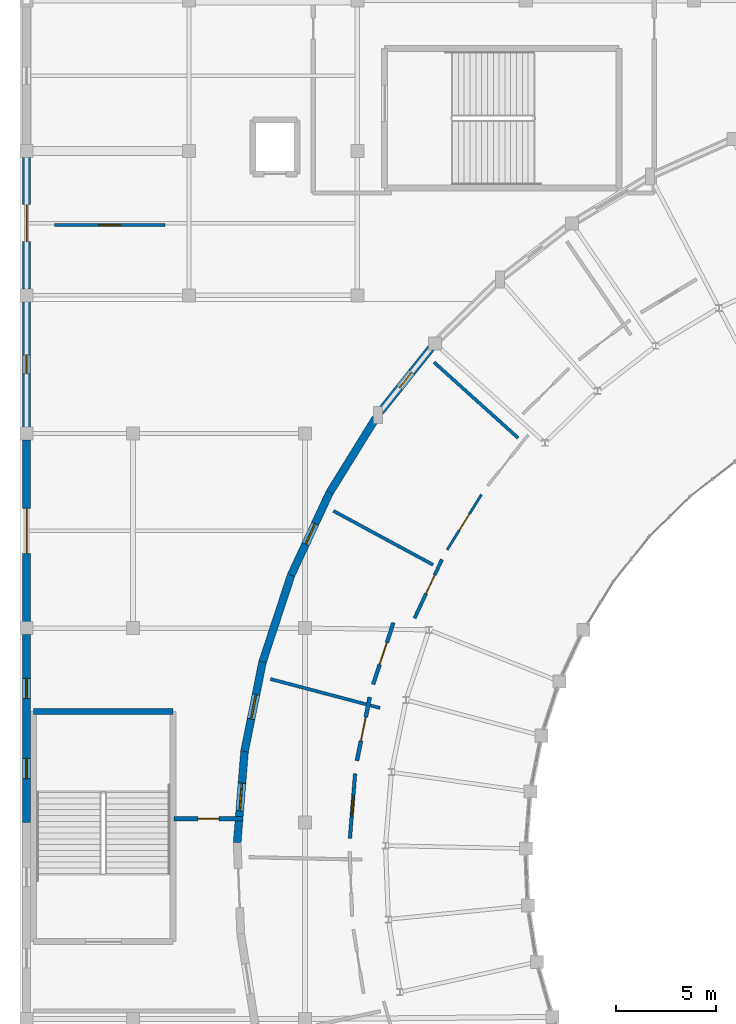
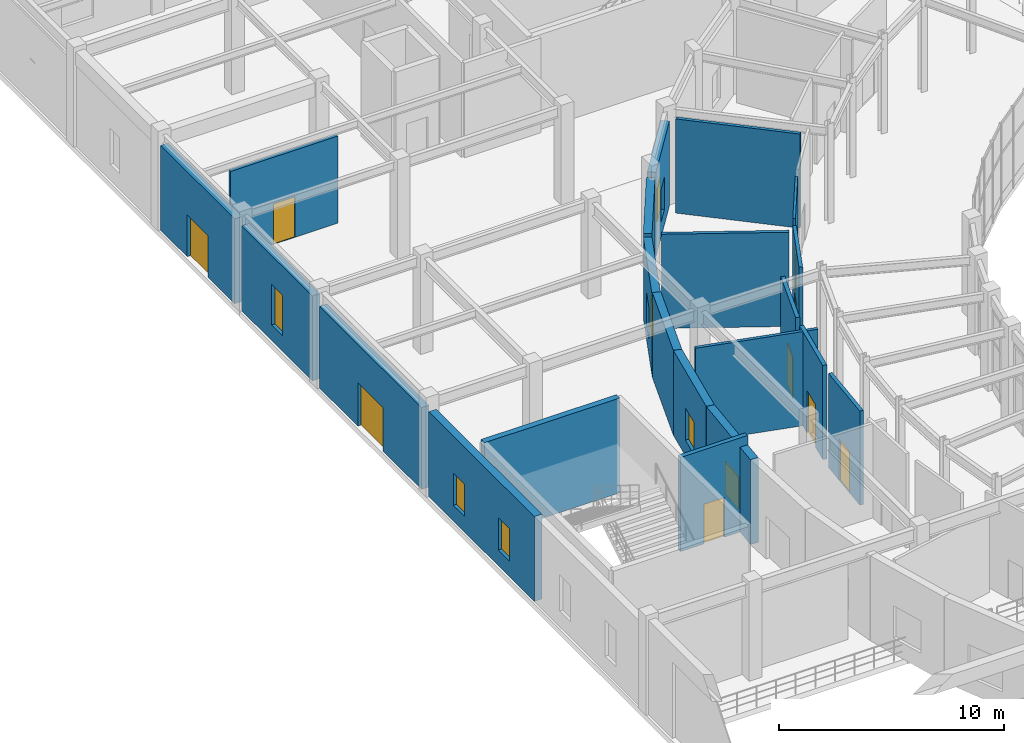
# One storey, part 56 of 93: 21 walls, 9 doors, 7 windows, 16 openings.
"""IFC4 building model written with IfcOpenShell, lengths in metres."""

from ifc_helpers import new_model, si_unit, direction, frame, frame_2d, origin, place, context, subcontext, project, spatial, rectangle, extrude, material, layer, layer_set, type_object, element, fill, save


model = new_model("IFC4")

# Units and contexts
model_context = context("Model", 3, precision=1e-05, world=origin(), true_north=direction((0.0, 1.0)))
body_context = subcontext(model_context, "Body", "Model", "MODEL_VIEW")
ifc_project = project(units=[si_unit("LENGTHUNIT", "METRE"), si_unit("AREAUNIT", "SQUARE_METRE"), si_unit("VOLUMEUNIT", "CUBIC_METRE"), si_unit("PLANEANGLEUNIT", "RADIAN"), si_unit("MASSUNIT", "GRAM", prefix="KILO")], contexts=[model_context])

# Site, building, storey
site_placement = place(None, origin())
site = spatial("IfcSite", under=ifc_project, at=site_placement, CompositionType="ELEMENT")
building_placement = place(site_placement, origin())
building = spatial("IfcBuilding", under=site, at=building_placement, Name="Cinderbank Siding Concert Hall", CompositionType="ELEMENT")
storey_placement = place(building_placement, origin())
storey = spatial("IfcBuildingStorey", under=building, at=storey_placement, Name="L01", CompositionType="ELEMENT", Elevation=0.0)

# Wall
ifc_material_1 = material(Name="Reinforced concrete AS 3600 N50 (50 MPa)", Category="concrete")
ifc_layer_1 = layer(ifc_material_1, 0.300048828125)
ifc_layer_set_1 = layer_set([ifc_layer_1], Name="Reinforced concrete AS 3600 N50 (50 MPa)")
wall_type_1 = type_object("IfcWallType", Name="WL-03 Structural Wall 300mm", PredefinedType="SHEAR", material=ifc_layer_set_1)
wall_1_placement = place(storey_placement, frame((7.4599609375, 75.340087890625, 0.0), z_axis=(0.0, 0.0, 1.0), x_axis=(1.0, 0.0, 0.0)))
element("IfcWall", 1, at=wall_1_placement, inside=storey, type_object=wall_type_1, Name="L01 ST-09 Core Wall FAR", PredefinedType="SHEAR", context=body_context, shape_type="SweptSolid", body=[
    extrude(rectangle(XDim=6.93994140625, YDim=0.300048828125, at=frame_2d((3.469970703125, 0.0))), origin(), (0.0, 0.0, 1.0), 5.139892578125),
])

# Wall, opening, door
ifc_layer_2 = layer(ifc_material_1, 0.219970703125)
ifc_layer_set_2 = layer_set([ifc_layer_2], Name="Reinforced concrete AS 3600 N50 (50 MPa)")
wall_type_2 = type_object("IfcWallType", Name="WL-06 Interior Wall 220mm", PredefinedType="SOLIDWALL", material=ifc_layer_set_2)
wall_2_placement = place(storey_placement, frame((17.89990234375, 70.0, 0.0), z_axis=(0.0, 0.0, 1.0), x_axis=(-1.0, 0.0, 0.0)))
wall_2 = element("IfcWall", 2, at=wall_2_placement, inside=storey, type_object=wall_type_2, Name="L01 Fire-Isolated Exit Passage Wall EPW-09-N", PredefinedType="SOLIDWALL", context=body_context, shape_type="SweptSolid", body=[
    extrude(rectangle(XDim=3.43994140625, YDim=0.219970703125, at=frame_2d((1.719970703125, 0.0))), origin(), (0.0, 0.0, 1.0), 5.10498046875),
])
opening_1_placement = place(wall_2_placement, frame((1.195068359375, 0.0, 0.0)))
opening_1 = element("IfcOpeningElement", 3, at=opening_1_placement, cuts=wall_2, Name="Opening D-02", PredefinedType="OPENING", context=body_context, shape_type="SweptSolid", body=[
    extrude(rectangle(XDim=1.050048828125, YDim=2.14990234375, at=frame_2d((0.52490234375, 1.074951171875))), frame((0.0, 0.1220703125, 0.0), z_axis=(0.0, -1.0, 0.0), x_axis=(1.0, 0.0, 0.0)), (0.0, 0.0, 1.0), 0.243896484375),
])
ifc_material_2 = material(Name="Galvanised sheet steel acoustic fire door assembly", Category="steel")
door_type_1 = type_object("IfcDoorType", Name="D-02 Interior Door 1050x2150", OperationType="NOTDEFINED", PredefinedType="DOOR", material=ifc_material_2)
door_1_placement = place(opening_1_placement, origin())
door_1 = element("IfcDoor", 4, at=door_1_placement, inside=storey, type_object=door_type_1, Name="L01 Exit Passage Fire Door L01-D097", OperationType="SINGLE_SWING_RIGHT", OverallHeight=2.14990234375, OverallWidth=1.050048828125, PredefinedType="DOOR", context=body_context, shape_type="SweptSolid", body=[
    extrude(rectangle(XDim=1.050048828125, YDim=2.14990234375, at=frame_2d((0.52490234375, 1.074951171875))), frame((0.0, 0.02490234375, 0.0), z_axis=(0.0, -1.0, 0.0), x_axis=(1.0, 0.0, 0.0)), (0.0, 0.0, 1.0), 0.050048828125),
])
fill(opening_1, door_1)

# Wall, opening, window
ifc_material_3 = material(Name="Sydney Hawkesbury sandstone ashlar masonry", Category="masonry")
ifc_layer_3 = layer(ifc_material_3, 0.389892578125)
ifc_layer_set_3 = layer_set([ifc_layer_3], Name="Sydney Hawkesbury sandstone ashlar masonry")
wall_type_3 = type_object("IfcWallType", Name="WL-09 Exterior Wall 390mm", PredefinedType="STANDARD", material=ifc_layer_set_3)
wall_3_placement = place(storey_placement, frame((27.269775390625, 93.452392578125, 0.0), z_axis=(0.0, 0.0, 1.0), x_axis=(-0.62385345473, -0.781541340571, 0.0)))
wall_3 = element("IfcWall", 5, at=wall_3_placement, inside=storey, type_object=wall_type_3, Name="L01 Facade Wall EW-WOUT-L01-06", PredefinedType="STANDARD", context=body_context, shape_type="SweptSolid", body=[
    extrude(rectangle(XDim=4.03466796875, YDim=0.389892578125, at=frame_2d((2.017333984375, 0.0))), origin(), (0.0, 0.0, 1.0), 4.60009765625),
])
opening_2_placement = place(wall_3_placement, frame((1.517333984375, 0.0, 0.85009765625)))
opening_2 = element("IfcOpeningElement", 6, at=opening_2_placement, cuts=wall_3, Name="Opening WN-18", PredefinedType="OPENING", context=body_context, shape_type="SweptSolid", body=[
    extrude(rectangle(XDim=1.0, YDim=1.75, at=frame_2d((0.5, 0.875))), frame((0.0, 0.20703125, 0.0), z_axis=(0.0, -1.0, 0.0), x_axis=(1.0, 0.0, 0.0)), (0.0, 0.0, 1.0), 0.413818359375),
])
ifc_material_4 = material(Name="Double-glazed laminated acoustic glass", Category="glass")
window_type_1 = type_object("IfcWindowType", Name="WN-18 Acoustic Casement Window 1000x1750", PartitioningType="DOUBLE_PANEL_VERTICAL", PredefinedType="WINDOW", material=ifc_material_4)
window_1_placement = place(opening_2_placement, origin())
window_1 = element("IfcWindow", 7, at=window_1_placement, inside=storey, type_object=window_type_1, Name="L01 Facade Window #4", OverallHeight=1.75, OverallWidth=1.0, PartitioningType="DOUBLE_PANEL_VERTICAL", PredefinedType="WINDOW", context=body_context, shape_type="SweptSolid", body=[
    extrude(rectangle(XDim=1.0, YDim=1.75, at=frame_2d((0.5, 0.875))), frame((0.0, 0.030029296875, 0.0), z_axis=(0.0, -1.0, 0.0), x_axis=(1.0, 0.0, 0.0)), (0.0, 0.0, 1.0), 0.06005859375),
])
fill(opening_2, window_1)

# Wall
wall_4_placement = place(storey_placement, frame((24.510986328125, 89.95654296875, 0.0), z_axis=(0.0, 0.0, 1.0), x_axis=(-0.526959963092, -0.849890108954, 0.0)))
element("IfcWall", 8, at=wall_4_placement, inside=storey, type_object=wall_type_3, Name="L01 Facade Wall EW-WOUT-L01-07", PredefinedType="STANDARD", context=body_context, shape_type="SweptSolid", body=[
    extrude(rectangle(XDim=4.3447265625, YDim=0.389892578125, at=frame_2d((2.17236328125, 0.0))), origin(), (0.0, 0.0, 1.0), 4.60009765625),
])

# Wall, opening, window
wall_5_placement = place(storey_placement, frame((22.221435546875, 86.263916015625, 0.0), z_axis=(0.0, 0.0, 1.0), x_axis=(-0.422603737243, -0.90631455978, 0.0)))
wall_5 = element("IfcWall", 9, at=wall_5_placement, inside=storey, type_object=wall_type_3, Name="L01 Facade Wall EW-WOUT-L01-08", PredefinedType="STANDARD", context=body_context, shape_type="SweptSolid", body=[
    extrude(rectangle(XDim=4.5546875, YDim=0.389892578125, at=frame_2d((2.27734375, 0.0))), origin(), (0.0, 0.0, 1.0), 4.406982421875),
])
opening_3_placement = place(wall_5_placement, frame((1.71728515625, 0.0, 0.85009765625)))
opening_3 = element("IfcOpeningElement", 10, at=opening_3_placement, cuts=wall_5, Name="Opening WN-19", PredefinedType="OPENING", context=body_context, shape_type="SweptSolid", body=[
    extrude(rectangle(XDim=1.1201171875, YDim=1.75, at=frame_2d((0.56005859375, 0.875))), frame((0.0, 0.20703125, 0.0), z_axis=(0.0, -1.0, 0.0), x_axis=(1.0, 0.0, 0.0)), (0.0, 0.0, 1.0), 0.413818359375),
])
window_type_2 = type_object("IfcWindowType", Name="WN-19 Acoustic Casement Window 1120x1750", PartitioningType="DOUBLE_PANEL_VERTICAL", PredefinedType="WINDOW", material=ifc_material_4)
window_2_placement = place(opening_3_placement, origin())
window_2 = element("IfcWindow", 11, at=window_2_placement, inside=storey, type_object=window_type_2, Name="L01 Facade Window #5", OverallHeight=1.75, OverallWidth=1.1201171875, PartitioningType="DOUBLE_PANEL_VERTICAL", PredefinedType="WINDOW", context=body_context, shape_type="SweptSolid", body=[
    extrude(rectangle(XDim=1.1201171875, YDim=1.75, at=frame_2d((0.56005859375, 0.875))), frame((0.0, 0.030029296875, 0.0), z_axis=(0.0, -1.0, 0.0), x_axis=(1.0, 0.0, 0.0)), (0.0, 0.0, 1.0), 0.06005859375),
])
fill(opening_3, window_2)

# Wall
wall_6_placement = place(storey_placement, frame((20.296630859375, 82.135986328125, 0.0), z_axis=(0.0, 0.0, 1.0), x_axis=(-0.312333665048, -0.949972463642, 0.0)))
element("IfcWall", 12, at=wall_6_placement, inside=storey, type_object=wall_type_3, Name="L01 Facade Wall EW-WOUT-L01-09", PredefinedType="STANDARD", context=body_context, shape_type="SweptSolid", body=[
    extrude(rectangle(XDim=4.5546875, YDim=0.389892578125, at=frame_2d((2.27734375, 0.0))), origin(), (0.0, 0.0, 1.0), 4.60009765625),
])

# Wall, opening, window
wall_7_placement = place(storey_placement, frame((18.8740234375, 77.80908203125, 0.0), z_axis=(0.0, 0.0, 1.0), x_axis=(-0.197682700785, -0.980266060726, 0.0)))
wall_7 = element("IfcWall", 13, at=wall_7_placement, inside=storey, type_object=wall_type_3, Name="L01 Facade Wall EW-WOUT-L01-10", PredefinedType="STANDARD", context=body_context, shape_type="SweptSolid", body=[
    extrude(rectangle(XDim=4.5546875, YDim=0.389892578125, at=frame_2d((2.27734375, 0.0))), origin(), (0.0, 0.0, 1.0), 4.60009765625),
])
opening_4_placement = place(wall_7_placement, frame((1.657470703125, 0.0, 0.85009765625)))
opening_4 = element("IfcOpeningElement", 14, at=opening_4_placement, cuts=wall_7, Name="Opening WN-20", PredefinedType="OPENING", context=body_context, shape_type="SweptSolid", body=[
    extrude(rectangle(XDim=1.239990234375, YDim=1.75, at=frame_2d((0.6201171875, 0.875))), frame((0.0, 0.20703125, 0.0), z_axis=(0.0, -1.0, 0.0), x_axis=(1.0, 0.0, 0.0)), (0.0, 0.0, 1.0), 0.413818359375),
])
window_type_3 = type_object("IfcWindowType", Name="WN-20 Acoustic Casement Window 1240x1750", PartitioningType="DOUBLE_PANEL_VERTICAL", PredefinedType="WINDOW", material=ifc_material_4)
window_3_placement = place(opening_4_placement, origin())
window_3 = element("IfcWindow", 15, at=window_3_placement, inside=storey, type_object=window_type_3, Name="L01 Facade Window #6", OverallHeight=1.75, OverallWidth=1.239990234375, PartitioningType="DOUBLE_PANEL_VERTICAL", PredefinedType="WINDOW", context=body_context, shape_type="SweptSolid", body=[
    extrude(rectangle(XDim=1.239990234375, YDim=1.75, at=frame_2d((0.6201171875, 0.875))), frame((0.0, 0.030029296875, 0.0), z_axis=(0.0, -1.0, 0.0), x_axis=(1.0, 0.0, 0.0)), (0.0, 0.0, 1.0), 0.06005859375),
])
fill(opening_4, window_3)

wall_8_placement = place(storey_placement, frame((17.9736328125, 73.34423828125, 0.0), z_axis=(0.0, 0.0, 1.0), x_axis=(-0.080188345633, -0.996779729541, 0.0)))
wall_8 = element("IfcWall", 16, at=wall_8_placement, inside=storey, type_object=wall_type_3, Name="L01 Facade Wall EW-WOUT-L01-11", PredefinedType="STANDARD", context=body_context, shape_type="SweptSolid", body=[
    extrude(rectangle(XDim=4.5546875, YDim=0.389892578125, at=frame_2d((2.27734375, 0.0))), origin(), (0.0, 0.0, 1.0), 4.60009765625),
])
opening_5_placement = place(wall_8_placement, frame((1.58740234375, 0.0, 0.85009765625)))
opening_5 = element("IfcOpeningElement", 17, at=opening_5_placement, cuts=wall_8, Name="Opening WN-21", PredefinedType="OPENING", context=body_context, shape_type="SweptSolid", body=[
    extrude(rectangle(XDim=1.3798828125, YDim=1.75, at=frame_2d((0.68994140625, 0.875))), frame((0.0, 0.20703125, 0.0), z_axis=(0.0, -1.0, 0.0), x_axis=(1.0, 0.0, 0.0)), (0.0, 0.0, 1.0), 0.413818359375),
])
window_type_4 = type_object("IfcWindowType", Name="WN-21 Acoustic Casement Window 1380x1750", PartitioningType="DOUBLE_PANEL_VERTICAL", PredefinedType="WINDOW", material=ifc_material_4)
window_4_placement = place(opening_5_placement, origin())
window_4 = element("IfcWindow", 18, at=window_4_placement, inside=storey, type_object=window_type_4, Name="L01 Facade Window #7", OverallHeight=1.75, OverallWidth=1.3798828125, PartitioningType="DOUBLE_PANEL_VERTICAL", PredefinedType="WINDOW", context=body_context, shape_type="SweptSolid", body=[
    extrude(rectangle(XDim=1.3798828125, YDim=1.75, at=frame_2d((0.68994140625, 0.875))), frame((0.0, 0.030029296875, 0.0), z_axis=(0.0, -1.0, 0.0), x_axis=(1.0, 0.0, 0.0)), (0.0, 0.0, 1.0), 0.06005859375),
])
fill(opening_5, window_4)

# Wall, openings, windows
wall_9_placement = place(storey_placement, frame((7.10009765625, 69.800048828125, 0.0), z_axis=(0.0, 0.0, 1.0), x_axis=(0.0, 1.0, 0.0)))
wall_9 = element("IfcWall", 19, at=wall_9_placement, inside=storey, type_object=wall_type_3, Name="L01 Facade Wall EW-WL-W3-L01", PredefinedType="STANDARD", context=body_context, shape_type="SweptSolid", body=[
    extrude(rectangle(XDim=9.389892578125, YDim=0.389892578125, at=frame_2d((4.69482421875, 0.0))), origin(), (0.0, 0.0, 1.0), 4.60009765625),
])
opening_6_placement = place(wall_9_placement, frame((2.197509765625, 0.0, 0.85009765625)))
opening_6 = element("IfcOpeningElement", 20, at=opening_6_placement, cuts=wall_9, Name="Opening WN-18", PredefinedType="OPENING", context=body_context, shape_type="SweptSolid", body=[
    extrude(rectangle(XDim=1.0, YDim=1.75, at=frame_2d((0.5, 0.875))), frame((0.0, 0.20703125, 0.0), z_axis=(0.0, -1.0, 0.0), x_axis=(1.0, 0.0, 0.0)), (0.0, 0.0, 1.0), 0.413818359375),
])
opening_7_placement = place(wall_9_placement, frame((6.1923828125, 0.0, 0.85009765625)))
opening_7 = element("IfcOpeningElement", 21, at=opening_7_placement, cuts=wall_9, Name="Opening WN-18", PredefinedType="OPENING", context=body_context, shape_type="SweptSolid", body=[
    extrude(rectangle(XDim=1.0, YDim=1.75, at=frame_2d((0.5, 0.875))), frame((0.0, 0.20703125, 0.0), z_axis=(0.0, -1.0, 0.0), x_axis=(1.0, 0.0, 0.0)), (0.0, 0.0, 1.0), 0.413818359375),
])
window_5_placement = place(opening_6_placement, origin())
window_5 = element("IfcWindow", 22, at=window_5_placement, inside=storey, type_object=window_type_1, Name="L01 Facade Window #96", OverallHeight=1.75, OverallWidth=1.0, PartitioningType="DOUBLE_PANEL_VERTICAL", PredefinedType="WINDOW", context=body_context, shape_type="SweptSolid", body=[
    extrude(rectangle(XDim=1.0, YDim=1.75, at=frame_2d((0.5, 0.875))), frame((0.0, 0.030029296875, 0.0), z_axis=(0.0, -1.0, 0.0), x_axis=(1.0, 0.0, 0.0)), (0.0, 0.0, 1.0), 0.06005859375),
])
fill(opening_6, window_5)
window_6_placement = place(opening_7_placement, origin())
window_6 = element("IfcWindow", 23, at=window_6_placement, inside=storey, type_object=window_type_1, Name="L01 Facade Window #97", OverallHeight=1.75, OverallWidth=1.0, PartitioningType="DOUBLE_PANEL_VERTICAL", PredefinedType="WINDOW", context=body_context, shape_type="SweptSolid", body=[
    extrude(rectangle(XDim=1.0, YDim=1.75, at=frame_2d((0.5, 0.875))), frame((0.0, 0.030029296875, 0.0), z_axis=(0.0, -1.0, 0.0), x_axis=(1.0, 0.0, 0.0)), (0.0, 0.0, 1.0), 0.06005859375),
])
fill(opening_7, window_6)

# Wall, opening, door
wall_10_placement = place(storey_placement, frame((7.10009765625, 79.81005859375, 0.0), z_axis=(0.0, 0.0, 1.0), x_axis=(0.0, 1.0, 0.0)))
wall_10 = element("IfcWall", 24, at=wall_10_placement, inside=storey, type_object=wall_type_3, Name="L01 Facade Wall EW-WL-W4-L01", PredefinedType="STANDARD", context=body_context, shape_type="SweptSolid", body=[
    extrude(rectangle(XDim=9.079833984375, YDim=0.389892578125, at=frame_2d((4.5400390625, 0.0))), origin(), (0.0, 0.0, 1.0), 4.427001953125),
])
opening_8_placement = place(wall_10_placement, frame((3.419921875, 0.0, 0.0)))
opening_8 = element("IfcOpeningElement", 25, at=opening_8_placement, cuts=wall_10, Name="Opening ED-D1", PredefinedType="OPENING", context=body_context, shape_type="SweptSolid", body=[
    extrude(rectangle(XDim=2.239990234375, YDim=2.35009765625, at=frame_2d((1.1201171875, 1.175048828125))), frame((0.0, 0.20703125, 0.0), z_axis=(0.0, -1.0, 0.0), x_axis=(1.0, 0.0, 0.0)), (0.0, 0.0, 1.0), 0.413818359375),
])
door_type_2 = type_object("IfcDoorType", Name="ED-D1 Exterior Door 2240x2350", OperationType="DOUBLE_DOOR_SINGLE_SWING", PredefinedType="DOOR", material=ifc_material_2)
door_2_placement = place(opening_8_placement, origin())
door_2 = element("IfcDoor", 26, at=door_2_placement, inside=storey, type_object=door_type_2, Name="Perimeter Final Exit WL-W4", OperationType="DOUBLE_DOOR_SINGLE_SWING", OverallHeight=2.35009765625, OverallWidth=2.239990234375, PredefinedType="DOOR", context=body_context, shape_type="SweptSolid", body=[
    extrude(rectangle(XDim=2.239990234375, YDim=2.35009765625, at=frame_2d((1.1201171875, 1.175048828125))), frame((0.0, 0.02490234375, 0.0), z_axis=(0.0, -1.0, 0.0), x_axis=(1.0, 0.0, 0.0)), (0.0, 0.0, 1.0), 0.050048828125),
])
fill(opening_8, door_2)

# Wall, opening, window
wall_11_placement = place(storey_placement, frame((7.10009765625, 89.510009765625, 0.0), z_axis=(0.0, 0.0, 1.0), x_axis=(0.0, 1.0, 0.0)))
wall_11 = element("IfcWall", 27, at=wall_11_placement, inside=storey, type_object=wall_type_3, Name="L01 Facade Wall EW-WL-W5-L01", PredefinedType="STANDARD", context=body_context, shape_type="SweptSolid", body=[
    extrude(rectangle(XDim=6.280029296875, YDim=0.389892578125, at=frame_2d((3.14013671875, 0.0))), origin(), (0.0, 0.0, 1.0), 4.598876953125),
])
opening_9_placement = place(wall_11_placement, frame((2.6650390625, 0.0, 0.85009765625)))
opening_9 = element("IfcOpeningElement", 28, at=opening_9_placement, cuts=wall_11, Name="Opening WN-02", PredefinedType="OPENING", context=body_context, shape_type="SweptSolid", body=[
    extrude(rectangle(XDim=0.949951171875, YDim=2.199951171875, at=frame_2d((0.47509765625, 1.10009765625))), frame((0.0, 0.20703125, 0.0), z_axis=(0.0, -1.0, 0.0), x_axis=(1.0, 0.0, 0.0)), (0.0, 0.0, 1.0), 0.413818359375),
])
window_type_5 = type_object("IfcWindowType", Name="WN-02 Acoustic Casement Window 950x2200", PartitioningType="DOUBLE_PANEL_VERTICAL", PredefinedType="WINDOW", material=ifc_material_4)
window_7_placement = place(opening_9_placement, origin())
window_7 = element("IfcWindow", 29, at=window_7_placement, inside=storey, type_object=window_type_5, Name="L01 Facade Window #110", OverallHeight=2.199951171875, OverallWidth=0.949951171875, PartitioningType="DOUBLE_PANEL_VERTICAL", PredefinedType="WINDOW", context=body_context, shape_type="SweptSolid", body=[
    extrude(rectangle(XDim=0.949951171875, YDim=2.199951171875, at=frame_2d((0.47509765625, 1.10009765625))), frame((0.0, 0.030029296875, 0.0), z_axis=(0.0, -1.0, 0.0), x_axis=(1.0, 0.0, 0.0)), (0.0, 0.0, 1.0), 0.06005859375),
])
fill(opening_9, window_7)

# Wall, opening, door
wall_12_placement = place(storey_placement, frame((7.10009765625, 96.409912109375, 0.0), z_axis=(0.0, 0.0, 1.0), x_axis=(0.0, 1.0, 0.0)))
wall_12 = element("IfcWall", 30, at=wall_12_placement, inside=storey, type_object=wall_type_3, Name="L01 Facade Wall EW-NW-W1-L01", PredefinedType="STANDARD", context=body_context, shape_type="SweptSolid", body=[
    extrude(rectangle(XDim=6.580078125, YDim=0.389892578125, at=frame_2d((3.2900390625, 0.0))), origin(), (0.0, 0.0, 1.0), 4.60009765625),
])
opening_10_placement = place(wall_12_placement, frame((2.364990234375, 0.0, 0.0)))
opening_10 = element("IfcOpeningElement", 31, at=opening_10_placement, cuts=wall_12, Name="Opening ED-D3", PredefinedType="OPENING", context=body_context, shape_type="SweptSolid", body=[
    extrude(rectangle(XDim=1.85009765625, YDim=2.25, at=frame_2d((0.925048828125, 1.125))), frame((0.0, 0.20703125, 0.0), z_axis=(0.0, -1.0, 0.0), x_axis=(1.0, 0.0, 0.0)), (0.0, 0.0, 1.0), 0.413818359375),
])
door_type_3 = type_object("IfcDoorType", Name="ED-D3 Exterior Door 1850x2250", OperationType="DOUBLE_DOOR_SINGLE_SWING", PredefinedType="DOOR", material=ifc_material_2)
door_3_placement = place(opening_10_placement, origin())
door_3 = element("IfcDoor", 32, at=door_3_placement, inside=storey, type_object=door_type_3, Name="Perimeter Final Exit NW-W1", OperationType="DOUBLE_DOOR_SINGLE_SWING", OverallHeight=2.25, OverallWidth=1.85009765625, PredefinedType="DOOR", context=body_context, shape_type="SweptSolid", body=[
    extrude(rectangle(XDim=1.85009765625, YDim=2.25, at=frame_2d((0.925048828125, 1.125))), frame((0.0, 0.02490234375, 0.0), z_axis=(0.0, -1.0, 0.0), x_axis=(1.0, 0.0, 0.0)), (0.0, 0.0, 1.0), 0.050048828125),
])
fill(opening_10, door_3)

ifc_material_5 = material(Name="Acoustic plasterboard on light-gauge steel studs", Category="gypsum")
ifc_layer_4 = layer(ifc_material_5, 0.199951171875)
ifc_layer_set_4 = layer_set([ifc_layer_4], Name="Acoustic plasterboard on light-gauge steel studs")
wall_type_4 = type_object("IfcWallType", Name="WL-12 Interior Wall 200mm", PredefinedType="PARTITIONING", material=ifc_layer_set_4)
wall_13_placement = place(storey_placement, frame((24.220458984375, 76.058837890625, 0.0), z_axis=(0.0, 0.0, 1.0), x_axis=(-0.197609875313, -0.980280744062, 0.0)))
wall_13 = element("IfcWall", 33, at=wall_13_placement, inside=storey, type_object=wall_type_4, Name="L01 Partition Studio Bay W10", PredefinedType="PARTITIONING", context=body_context, shape_type="SweptSolid", body=[
    extrude(rectangle(XDim=3.23681640625, YDim=0.199951171875, at=frame_2d((1.618408203125, 0.0))), origin(), (0.0, 0.0, 1.0), 5.10498046875),
])
opening_11_placement = place(wall_13_placement, frame((1.0185546875, 0.0, 0.0)))
opening_11 = element("IfcOpeningElement", 34, at=opening_11_placement, cuts=wall_13, Name="Opening D-12", PredefinedType="OPENING", context=body_context, shape_type="SweptSolid", body=[
    extrude(rectangle(XDim=1.199951171875, YDim=2.300048828125, at=frame_2d((0.60009765625, 1.14990234375))), frame((0.0, 0.11181640625, 0.0), z_axis=(0.0, -1.0, 0.0), x_axis=(1.0, 0.0, 0.0)), (0.0, 0.0, 1.0), 0.223876953125),
])
ifc_material_6 = material(Name="Solid-core spotted gum acoustic timber", Category="wood")
door_type_4 = type_object("IfcDoorType", Name="D-12 Interior Door 1200x2300", OperationType="NOTDEFINED", PredefinedType="DOOR", material=ifc_material_6)
door_4_placement = place(opening_11_placement, origin())
door_4 = element("IfcDoor", 35, at=door_4_placement, inside=storey, type_object=door_type_4, Name="L01 Studio Bay W10 Door L01-D194", OperationType="SINGLE_SWING_LEFT", OverallHeight=2.300048828125, OverallWidth=1.199951171875, PredefinedType="DOOR", context=body_context, shape_type="SweptSolid", body=[
    extrude(rectangle(XDim=1.199951171875, YDim=2.300048828125, at=frame_2d((0.60009765625, 1.14990234375))), frame((0.0, 0.02490234375, 0.0), z_axis=(0.0, -1.0, 0.0), x_axis=(1.0, 0.0, 0.0)), (0.0, 0.0, 1.0), 0.050048828125),
])
fill(opening_11, door_4)

ifc_layer_5 = layer(ifc_material_5, 0.179931640625)
ifc_layer_set_5 = layer_set([ifc_layer_5], Name="Acoustic plasterboard on light-gauge steel studs")
wall_type_5 = type_object("IfcWallType", Name="WL-13 Interior Wall 180mm", PredefinedType="PARTITIONING", material=ifc_layer_set_5)
wall_14_placement = place(storey_placement, frame((23.489990234375, 72.239501953125, 0.0), z_axis=(0.0, 0.0, 1.0), x_axis=(-0.080248823667, -0.996774862394, 0.0)))
wall_14 = element("IfcWall", 36, at=wall_14_placement, inside=storey, type_object=wall_type_5, Name="L01 Partition Studio Bay W11", PredefinedType="PARTITIONING", context=body_context, shape_type="SweptSolid", body=[
    extrude(rectangle(XDim=3.237060546875, YDim=0.179931640625, at=frame_2d((1.61865234375, 0.0))), origin(), (0.0, 0.0, 1.0), 5.10498046875),
])
opening_12_placement = place(wall_14_placement, frame((1.08837890625, 0.0, 0.0)))
opening_12 = element("IfcOpeningElement", 37, at=opening_12_placement, cuts=wall_14, Name="Opening D-18", PredefinedType="OPENING", context=body_context, shape_type="SweptSolid", body=[
    extrude(rectangle(XDim=1.06005859375, YDim=2.239990234375, at=frame_2d((0.530029296875, 1.1201171875))), frame((0.0, 0.10205078125, 0.0), z_axis=(0.0, -1.0, 0.0), x_axis=(1.0, 0.0, 0.0)), (0.0, 0.0, 1.0), 0.203857421875),
])
door_type_5 = type_object("IfcDoorType", Name="D-18 Interior Door 1060x2240", OperationType="NOTDEFINED", PredefinedType="DOOR", material=ifc_material_6)
door_5_placement = place(opening_12_placement, origin())
door_5 = element("IfcDoor", 38, at=door_5_placement, inside=storey, type_object=door_type_5, Name="L01 Studio Bay W11 Door L01-D195", OperationType="SINGLE_SWING_RIGHT", OverallHeight=2.239990234375, OverallWidth=1.06005859375, PredefinedType="DOOR", context=body_context, shape_type="SweptSolid", body=[
    extrude(rectangle(XDim=1.06005859375, YDim=2.239990234375, at=frame_2d((0.530029296875, 1.1201171875))), frame((0.0, 0.02490234375, 0.0), z_axis=(0.0, -1.0, 0.0), x_axis=(1.0, 0.0, 0.0)), (0.0, 0.0, 1.0), 0.050048828125),
])
fill(opening_12, door_5)

# Walls
ifc_layer_6 = layer(ifc_material_5, 0.159912109375)
ifc_layer_set_6 = layer_set([ifc_layer_6], Name="Acoustic plasterboard on light-gauge steel studs")
wall_type_6 = type_object("IfcWallType", Name="WL-14 Interior Wall 160mm", PredefinedType="PARTITIONING", material=ifc_layer_set_6)
wall_15_placement = place(storey_placement, frame((31.626220703125, 88.977294921875, 0.0), z_axis=(0.0, 0.0, 1.0), x_axis=(-0.743145881682, 0.669129433323, 0.0)))
element("IfcWall", 39, at=wall_15_placement, inside=storey, type_object=wall_type_6, Name="L01 Radial Studio Demising Wall W06", PredefinedType="PARTITIONING", context=body_context, shape_type="SweptSolid", body=[
    extrude(rectangle(XDim=5.650390625, YDim=0.159912109375, at=frame_2d((2.8251953125, 0.0))), origin(), (0.0, 0.0, 1.0), 5.10498046875),
])
wall_16_placement = place(storey_placement, frame((27.376953125, 82.657958984375, 0.0), z_axis=(0.0, 0.0, 1.0), x_axis=(-0.879658145698, 0.475606504062, 0.0)))
element("IfcWall", 40, at=wall_16_placement, inside=storey, type_object=wall_type_6, Name="L01 Radial Studio Demising Wall W08", PredefinedType="PARTITIONING", context=body_context, shape_type="SweptSolid", body=[
    extrude(rectangle(XDim=5.650146484375, YDim=0.159912109375, at=frame_2d((2.8251953125, 0.0))), origin(), (0.0, 0.0, 1.0), 5.10498046875),
])
wall_17_placement = place(storey_placement, frame((24.732666015625, 75.516357421875, 0.0), z_axis=(0.0, 0.0, 1.0), x_axis=(-0.966817687277, 0.255467335621, 0.0)))
element("IfcWall", 41, at=wall_17_placement, inside=storey, type_object=wall_type_6, Name="L01 Radial Studio Demising Wall W10", PredefinedType="PARTITIONING", context=body_context, shape_type="SweptSolid", body=[
    extrude(rectangle(XDim=5.64990234375, YDim=0.159912109375, at=frame_2d((2.824951171875, 0.0))), origin(), (0.0, 0.0, 1.0), 5.10498046875),
])

# Wall, opening, door
ifc_layer_7 = layer(ifc_material_5, 0.14990234375)
ifc_layer_set_7 = layer_set([ifc_layer_7], Name="Acoustic plasterboard on light-gauge steel studs")
wall_type_7 = type_object("IfcWallType", Name="WL-15 Interior Wall 150mm", PredefinedType="PARTITIONING", material=ifc_layer_set_7)
wall_18_placement = place(storey_placement, frame((8.5, 99.60009765625, 0.0), z_axis=(0.0, 0.0, 1.0), x_axis=(1.0, 0.0, 0.0)))
wall_18 = element("IfcWall", 42, at=wall_18_placement, inside=storey, type_object=wall_type_7, Name="L01 Partition Artists Reception", PredefinedType="PARTITIONING", context=body_context, shape_type="SweptSolid", body=[
    extrude(rectangle(XDim=5.5, YDim=0.14990234375, at=frame_2d((2.75, 0.0))), origin(), (0.0, 0.0, 1.0), 4.724365234375),
])
opening_13_placement = place(wall_18_placement, frame((2.199951171875, 0.0, 0.0)))
opening_13 = element("IfcOpeningElement", 43, at=opening_13_placement, cuts=wall_18, Name="Opening D-04", PredefinedType="OPENING", context=body_context, shape_type="SweptSolid", body=[
    extrude(rectangle(XDim=1.10009765625, YDim=2.199951171875, at=frame_2d((0.550048828125, 1.10009765625))), frame((0.0, 0.0869140625, 0.0), z_axis=(0.0, -1.0, 0.0), x_axis=(1.0, 0.0, 0.0)), (0.0, 0.0, 1.0), 0.173828125),
])
door_type_6 = type_object("IfcDoorType", Name="D-04 Interior Door 1100x2200", OperationType="NOTDEFINED", PredefinedType="DOOR", material=ifc_material_6)
door_6_placement = place(opening_13_placement, origin())
door_6 = element("IfcDoor", 44, at=door_6_placement, inside=storey, type_object=door_type_6, Name="L01 Artists Reception Door L01-D255", OperationType="SINGLE_SWING_RIGHT", OverallHeight=2.199951171875, OverallWidth=1.10009765625, PredefinedType="DOOR", context=body_context, shape_type="SweptSolid", body=[
    extrude(rectangle(XDim=1.10009765625, YDim=2.199951171875, at=frame_2d((0.550048828125, 1.10009765625))), frame((0.0, 0.02490234375, 0.0), z_axis=(0.0, -1.0, 0.0), x_axis=(1.0, 0.0, 0.0)), (0.0, 0.0, 1.0), 0.050048828125),
])
fill(opening_13, door_6)

ifc_layer_8 = layer(ifc_material_5, 0.1201171875)
ifc_layer_set_8 = layer_set([ifc_layer_8], Name="Acoustic plasterboard on light-gauge steel studs")
wall_type_8 = type_object("IfcWallType", Name="WL-18 Interior Wall 120mm", PredefinedType="PARTITIONING", material=ifc_layer_set_8)
wall_19_placement = place(storey_placement, frame((29.78759765625, 86.15673828125, 0.0), z_axis=(0.0, 0.0, 1.0), x_axis=(-0.526951653894, -0.849895260875, 0.0)))
wall_19 = element("IfcWall", 45, at=wall_19_placement, inside=storey, type_object=wall_type_8, Name="L01 Partition Studio Bay W07", PredefinedType="PARTITIONING", context=body_context, shape_type="SweptSolid", body=[
    extrude(rectangle(XDim=3.237060546875, YDim=0.1201171875, at=frame_2d((1.61865234375, 0.0))), origin(), (0.0, 0.0, 1.0), 5.10498046875),
])
opening_14_placement = place(wall_19_placement, frame((1.138427734375, 0.0, 0.0)))
opening_14 = element("IfcOpeningElement", 46, at=opening_14_placement, cuts=wall_19, Name="Opening D-16", PredefinedType="OPENING", context=body_context, shape_type="SweptSolid", body=[
    extrude(rectangle(XDim=0.9599609375, YDim=2.179931640625, at=frame_2d((0.47998046875, 1.08984375))), frame((0.0, 0.072021484375, 0.0), z_axis=(0.0, -1.0, 0.0), x_axis=(1.0, 0.0, 0.0)), (0.0, 0.0, 1.0), 0.14404296875),
])
door_type_7 = type_object("IfcDoorType", Name="D-16 Interior Door 960x2180", OperationType="NOTDEFINED", PredefinedType="DOOR", material=ifc_material_6)
door_7_placement = place(opening_14_placement, origin())
door_7 = element("IfcDoor", 47, at=door_7_placement, inside=storey, type_object=door_type_7, Name="L01 Studio Bay W07 Door L01-D191", OperationType="SINGLE_SWING_RIGHT", OverallHeight=2.179931640625, OverallWidth=0.9599609375, PredefinedType="DOOR", context=body_context, shape_type="SweptSolid", body=[
    extrude(rectangle(XDim=0.9599609375, YDim=2.179931640625, at=frame_2d((0.47998046875, 1.08984375))), frame((0.0, 0.02490234375, 0.0), z_axis=(0.0, -1.0, 0.0), x_axis=(1.0, 0.0, 0.0)), (0.0, 0.0, 1.0), 0.050048828125),
])
fill(opening_14, door_7)

ifc_layer_9 = layer(ifc_material_5, 0.169921875)
ifc_layer_set_9 = layer_set([ifc_layer_9], Name="Acoustic plasterboard on light-gauge steel studs")
wall_type_9 = type_object("IfcWallType", Name="WL-19 Interior Wall 170mm", PredefinedType="PARTITIONING", material=ifc_layer_set_9)
wall_20_placement = place(storey_placement, frame((27.822265625, 82.92529296875, 0.0), z_axis=(0.0, 0.0, 1.0), x_axis=(-0.422670745522, -0.906283311597, 0.0)))
wall_20 = element("IfcWall", 48, at=wall_20_placement, inside=storey, type_object=wall_type_9, Name="L01 Partition Studio Bay W08", PredefinedType="PARTITIONING", context=body_context, shape_type="SweptSolid", body=[
    extrude(rectangle(XDim=3.237060546875, YDim=0.169921875, at=frame_2d((1.61865234375, 0.0))), origin(), (0.0, 0.0, 1.0), 5.10498046875),
])
opening_15_placement = place(wall_20_placement, frame((0.8583984375, 0.0, 0.0)))
opening_15 = element("IfcOpeningElement", 49, at=opening_15_placement, cuts=wall_20, Name="Opening D-17", PredefinedType="OPENING", context=body_context, shape_type="SweptSolid", body=[
    extrude(rectangle(XDim=1.02001953125, YDim=2.219970703125, at=frame_2d((0.510009765625, 1.10986328125))), frame((0.0, 0.096923828125, 0.0), z_axis=(0.0, -1.0, 0.0), x_axis=(1.0, 0.0, 0.0)), (0.0, 0.0, 1.0), 0.19384765625),
])
door_type_8 = type_object("IfcDoorType", Name="D-17 Interior Door 1020x2220", OperationType="NOTDEFINED", PredefinedType="DOOR", material=ifc_material_6)
door_8_placement = place(opening_15_placement, origin())
door_8 = element("IfcDoor", 50, at=door_8_placement, inside=storey, type_object=door_type_8, Name="L01 Studio Bay W08 Door L01-D192", OperationType="SINGLE_SWING_LEFT", OverallHeight=2.219970703125, OverallWidth=1.02001953125, PredefinedType="DOOR", context=body_context, shape_type="SweptSolid", body=[
    extrude(rectangle(XDim=1.02001953125, YDim=2.219970703125, at=frame_2d((0.510009765625, 1.10986328125))), frame((0.0, 0.02490234375, 0.0), z_axis=(0.0, -1.0, 0.0), x_axis=(1.0, 0.0, 0.0)), (0.0, 0.0, 1.0), 0.050048828125),
])
fill(opening_15, door_8)

ifc_layer_10 = layer(ifc_material_5, 0.18994140625)
ifc_layer_set_10 = layer_set([ifc_layer_10], Name="Acoustic plasterboard on light-gauge steel studs")
wall_type_10 = type_object("IfcWallType", Name="WL-20 Interior Wall 190mm", PredefinedType="PARTITIONING", material=ifc_layer_set_10)
wall_21_placement = place(storey_placement, frame((25.398193359375, 79.76513671875, 0.0), z_axis=(0.0, 0.0, 1.0), x_axis=(-0.312310818937, -0.949979974723, 0.0)))
wall_21 = element("IfcWall", 51, at=wall_21_placement, inside=storey, type_object=wall_type_10, Name="L01 Partition Studio Bay W09", PredefinedType="PARTITIONING", context=body_context, shape_type="SweptSolid", body=[
    extrude(rectangle(XDim=3.237060546875, YDim=0.18994140625, at=frame_2d((1.61865234375, 0.0))), origin(), (0.0, 0.0, 1.0), 5.10498046875),
])
opening_16_placement = place(wall_21_placement, frame((1.04345703125, 0.0, 0.0)))
opening_16 = element("IfcOpeningElement", 52, at=opening_16_placement, cuts=wall_21, Name="Opening D-11", PredefinedType="OPENING", context=body_context, shape_type="SweptSolid", body=[
    extrude(rectangle(XDim=1.14990234375, YDim=2.25, at=frame_2d((0.574951171875, 1.125))), frame((0.0, 0.10693359375, 0.0), z_axis=(0.0, -1.0, 0.0), x_axis=(1.0, 0.0, 0.0)), (0.0, 0.0, 1.0), 0.2138671875),
])
door_type_9 = type_object("IfcDoorType", Name="D-11 Interior Door 1150x2250", OperationType="NOTDEFINED", PredefinedType="DOOR", material=ifc_material_6)
door_9_placement = place(opening_16_placement, origin())
door_9 = element("IfcDoor", 53, at=door_9_placement, inside=storey, type_object=door_type_9, Name="L01 Studio Bay W09 Door L01-D193", OperationType="SINGLE_SWING_RIGHT", OverallHeight=2.25, OverallWidth=1.14990234375, PredefinedType="DOOR", context=body_context, shape_type="SweptSolid", body=[
    extrude(rectangle(XDim=1.14990234375, YDim=2.25, at=frame_2d((0.574951171875, 1.125))), frame((0.0, 0.02490234375, 0.0), z_axis=(0.0, -1.0, 0.0), x_axis=(1.0, 0.0, 0.0)), (0.0, 0.0, 1.0), 0.050048828125),
])
fill(opening_16, door_9)

save(model, "model.ifc")
